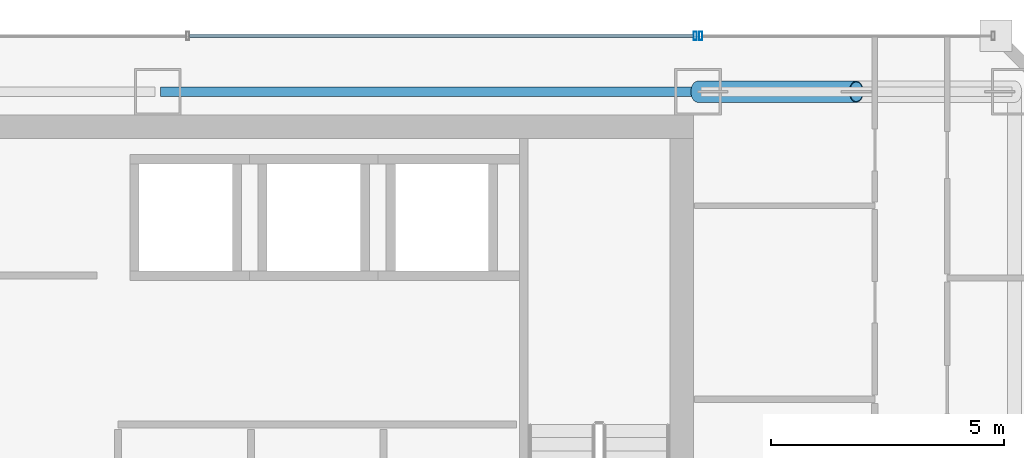
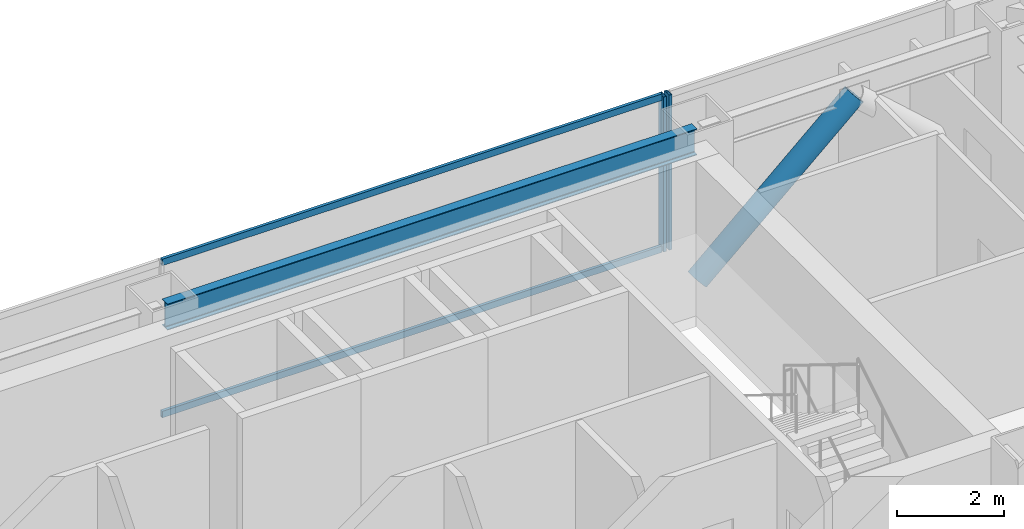
# One storey, part 25 of 36: 5 members, 1 beam, 2 elements without a shape of their own.
"""IFC4 building model written with IfcOpenShell, lengths in metres."""

import ifcopenshell
import ifcopenshell.guid

model = None  # the IFC model being written
_history = None  # IfcOwnerHistory: only IFC2X3 demands one
_inside = {}  # id of a spatial element -> (the spatial element, [elements in it])
_under = {}  # id of a project, library or spatial element -> (it, [spatial elements below it])
_declared = {}  # id of a project -> (the project, [libraries it declares])
_typed = {}  # id of a type object -> (the type object, [elements of that type])
_made_of = {}  # id of a material, layer set ... -> (it, [elements and type objects made of it])


def new_model(schema):
    """Start an empty IFC model of exactly this schema.

    Asked for "IFC4X3", IfcOpenShell would pick the latest addendum, in which some entities
    have other attributes; the version numbers below select the first issue.
    IFC2X3 requires an IfcOwnerHistory on every rooted entity: one is made here for all.
    """
    global model, _history
    if schema == "IFC4X3":
        model = ifcopenshell.file(schema_version=(4, 3, 0, 0))
    else:
        model = ifcopenshell.file(schema=schema)
    _inside.clear()
    _under.clear()
    _declared.clear()
    _typed.clear()
    _made_of.clear()
    _history = None
    if model.schema == "IFC2X3":
        org = make("IfcOrganization", Name="unknown")
        user = make(
            "IfcPersonAndOrganization",
            ThePerson=make("IfcPerson", FamilyName="unknown"),
            TheOrganization=org,
        )
        app = make(
            "IfcApplication",
            ApplicationDeveloper=org,
            Version="unknown",
            ApplicationFullName="unknown",
            ApplicationIdentifier="unknown",
        )
        _history = make(
            "IfcOwnerHistory",
            OwningUser=user,
            OwningApplication=app,
            ChangeAction="ADDED",
            CreationDate=0,
        )
    return model


def make(cls, **values):
    """One entity of the class cls with the attributes given. An attribute that is None is left unset."""
    return model.create_entity(
        cls, **{name: value for name, value in values.items() if value is not None}
    )


def rooted(cls, **values):
    """An entity with a GlobalId (a new one), such as an element, a storey or a relation."""
    return make(cls, GlobalId=ifcopenshell.guid.new(), OwnerHistory=_history, **values)


def si_unit(unit_type, name, prefix=None):
    """IfcSIUnit, for example si_unit("LENGTHUNIT", "METRE", prefix="MILLI")."""
    return make("IfcSIUnit", UnitType=unit_type, Prefix=prefix, Name=name)


def assignment(units):
    """IfcUnitAssignment: the units of a project."""
    return None if units is None else make("IfcUnitAssignment", Units=units)


def point(xyz):
    """IfcCartesianPoint."""
    return None if xyz is None else make("IfcCartesianPoint", Coordinates=xyz)


def direction(xyz):
    """IfcDirection."""
    return None if xyz is None else make("IfcDirection", DirectionRatios=xyz)


def frame(location, z_axis=None, x_axis=None):
    """IfcAxis2Placement3D, a coordinate frame: its origin and axes. An axis left out is left unset."""
    return make(
        "IfcAxis2Placement3D",
        Location=point(location),
        Axis=direction(z_axis),
        RefDirection=direction(x_axis),
    )


def frame_2d(location, x_axis=None):
    """IfcAxis2Placement2D, a coordinate frame in the plane: its origin and x axis."""
    return make(
        "IfcAxis2Placement2D", Location=point(location), RefDirection=direction(x_axis)
    )


def origin():
    """The frame at (0, 0, 0) with its axes left unset."""
    return frame((0.0, 0.0, 0.0))


def origin_2d():
    """The frame at (0, 0) in the plane with its x axis left unset."""
    return frame_2d((0.0, 0.0))


def place(relative_to, where):
    """IfcLocalPlacement: puts the frame where relative to a parent placement (None: the world)."""
    return make(
        "IfcLocalPlacement", PlacementRelTo=relative_to, RelativePlacement=where
    )


def context(
    kind, dimensions, precision=None, world=None, true_north=None, identifier=None
):
    """IfcGeometricRepresentationContext, for example the 3D "Model" context."""
    return make(
        "IfcGeometricRepresentationContext",
        ContextIdentifier=identifier,
        ContextType=kind,
        CoordinateSpaceDimension=dimensions,
        Precision=precision,
        WorldCoordinateSystem=world,
        TrueNorth=true_north,
    )


def subcontext(parent, identifier, kind, view, scale=None):
    """IfcGeometricRepresentationSubContext, for example "Body" below "Model"."""
    return make(
        "IfcGeometricRepresentationSubContext",
        ContextIdentifier=identifier,
        ContextType=kind,
        ParentContext=parent,
        TargetScale=scale,
        TargetView=view,
    )


def project(units=None, contexts=None):
    """IfcProject with its units and contexts."""
    return rooted(
        "IfcProject",
        Name="project",
        RepresentationContexts=contexts,
        UnitsInContext=assignment(units),
    )


def spatial(cls, under=None, at=None, **own):
    """A site, building, storey or space (cls), placed at a placement, below another one or the project."""
    s = rooted(cls, ObjectPlacement=at, **own)
    if under is not None:
        _under.setdefault(under.id(), (under, []))[1].append(s)
    return s


def profile(cls, at=None, kind="AREA", **sizes):
    """A parametric profile (cls). Its sizes go by their IFC names, for example OverallWidth=200.0."""
    return make(cls, ProfileType=kind, Position=at, **sizes)


def hollow_rectangle(**sizes):
    """IfcRectangleHollowProfileDef."""
    return profile("IfcRectangleHollowProfileDef", **sizes)


def hollow_circle(**sizes):
    """IfcCircleHollowProfileDef."""
    return profile("IfcCircleHollowProfileDef", **sizes)


def i_section(**sizes):
    """IfcIShapeProfileDef."""
    return profile("IfcIShapeProfileDef", **sizes)


def extrude(swept, where, along, depth):
    """IfcExtrudedAreaSolid: the profile swept, set in the frame where, extruded along a direction by depth."""
    return make(
        "IfcExtrudedAreaSolid",
        SweptArea=swept,
        Position=where,
        ExtrudedDirection=direction(along),
        Depth=depth,
    )


def shape(context_of_items, identifier, shape_type, items):
    """IfcShapeRepresentation: the items that make up one representation, for example the "Body"."""
    return make(
        "IfcShapeRepresentation",
        ContextOfItems=context_of_items,
        RepresentationIdentifier=identifier,
        RepresentationType=shape_type,
        Items=items,
    )


def material(Name=None, Category=None):
    """IfcMaterial."""
    return make("IfcMaterial", Name=Name, Category=Category)


def material_profile(
    of_material, cross_section, Name=None, Category=None, Priority=None
):
    """IfcMaterialProfile: a cross section and its material."""
    return make(
        "IfcMaterialProfile",
        Name=Name,
        Material=of_material,
        Profile=cross_section,
        Priority=Priority,
        Category=Category,
    )


def profile_set(profiles, Name=None, composite=None):
    """IfcMaterialProfileSet."""
    return make(
        "IfcMaterialProfileSet",
        Name=Name,
        MaterialProfiles=profiles,
        CompositeProfile=composite,
    )


def made_of(thing, what):
    """Note that an element or type object is made of a material, layer set ...; save() writes the relation."""
    if what is not None:
        _made_of.setdefault(what.id(), (what, []))[1].append(thing)
    return thing


def type_object(cls, material=None, **own):
    """A type object (cls), such as IfcWallType, which elements share."""
    return made_of(rooted(cls, **own), material)


def element(
    cls,
    number,
    at=None,
    inside=None,
    cuts=None,
    type_object=None,
    material=None,
    context=None,
    identifier="Body",
    shape_type=None,
    held_by="IfcProductDefinitionShape",
    body=None,
    shapes=None,
    **own,
):
    """One element of the class cls, such as IfcWall. Its Tag is "e" and its number.

    at: its placement. inside: the storey or other place that contains it. cuts: it is an
    opening in that element (IfcRelVoidsElement). A single representation is given by context,
    identifier, shape_type and body (its items); several are given by shapes. held_by: the class
    of the entity that holds the representations. save() writes the other relations.
    """
    e = rooted(cls, Tag="e%d" % number, ObjectPlacement=at, **own)
    if body is not None:
        shapes = [shape(context, identifier, shape_type, body)]
    if shapes is not None:
        e.Representation = make(held_by, Representations=shapes)
    if inside is not None:
        _inside.setdefault(inside.id(), (inside, []))[1].append(e)
    if cuts is not None:
        rooted(
            "IfcRelVoidsElement", RelatingBuildingElement=cuts, RelatedOpeningElement=e
        )
    if type_object is not None:
        _typed.setdefault(type_object.id(), (type_object, []))[1].append(e)
    return made_of(e, material)


def aggregate(whole, parts):
    """IfcRelAggregates: a whole, such as a stair, and the parts it consists of."""
    return rooted("IfcRelAggregates", RelatingObject=whole, RelatedObjects=parts)


def save(model, path):
    """Write the relations noted so far, then the file.

    IfcRelAggregates (storeys below a building ...), IfcRelContainedInSpatialStructure (elements
    in a storey), IfcRelDefinesByType, IfcRelAssociatesMaterial and IfcRelDeclares: one each for
    every whole, place, type object, material and project.
    """
    for whole, parts in _under.values():
        aggregate(whole, parts)
    for where, things in _inside.values():
        rooted(
            "IfcRelContainedInSpatialStructure",
            RelatedElements=things,
            RelatingStructure=where,
        )
    for kind, things in _typed.values():
        rooted("IfcRelDefinesByType", RelatedObjects=things, RelatingType=kind)
    for what, things in _made_of.values():
        rooted("IfcRelAssociatesMaterial", RelatedObjects=things, RelatingMaterial=what)
    for by, libraries in _declared.values():
        rooted("IfcRelDeclares", RelatingContext=by, RelatedDefinitions=libraries)
    model.write(path)


model = new_model("IFC4")

# Units and contexts
model_context = context("Model", 3, precision=1e-05, world=origin(), true_north=direction((0.0, 1.0)))
body_context = subcontext(model_context, "Body", "Model", "MODEL_VIEW")
ifc_project = project(units=[si_unit("LENGTHUNIT", "METRE"), si_unit("AREAUNIT", "SQUARE_METRE"), si_unit("VOLUMEUNIT", "CUBIC_METRE"), si_unit("PLANEANGLEUNIT", "RADIAN"), si_unit("MASSUNIT", "GRAM", prefix="KILO")], contexts=[model_context])

# Site, building, storey
site_placement = place(None, origin())
site = spatial("IfcSite", under=ifc_project, at=site_placement, CompositionType="ELEMENT")
building_placement = place(site_placement, origin())
building = spatial("IfcBuilding", under=site, at=building_placement, Name="Saevonmaru Cultural Tower", CompositionType="ELEMENT")
storey_placement = place(building_placement, frame((0.0, 0.0, 171.39990234375)))
storey = spatial("IfcBuildingStorey", under=building, at=storey_placement, Name="L38", CompositionType="ELEMENT", Elevation=171.39990234375)

# Beam
ifc_material_1 = material(Name="Steel SM355", Category="steel")
ifc_material_profile_1 = material_profile(ifc_material_1, i_section(OverallWidth=0.199951171875, OverallDepth=0.60009765625, WebThickness=0.010986328125, FlangeThickness=0.01708984375, FilletRadius=0.02197265625, at=origin_2d()), Name="H-600x200x11x17")
ifc_profile_set_1 = profile_set([ifc_material_profile_1], Name="Steel SM355")
beam_type = type_object("IfcBeamType", Name="BM-SP-H600", PredefinedType="SPANDREL", material=ifc_profile_set_1)
beam_placement = place(storey_placement, frame((34.860107421875, 54.800048828125, 3.25), z_axis=(1.0, 0.0, 0.0), x_axis=(0.0, 1.0, 0.0)))
element("IfcBeam", 1, at=beam_placement, inside=storey, type_object=beam_type, Name="L38 North Spine Girder 4", PredefinedType="SPANDREL", context=body_context, shape_type="SweptSolid", body=[
    extrude(i_section(OverallWidth=0.199951171875, OverallDepth=0.60009765625, WebThickness=0.010986328125, FlangeThickness=0.01708984375, FilletRadius=0.02197265625, at=origin_2d()), origin(), (0.0, 0.0, 1.0), 11.47998046875),
])

# Member
ifc_material_2 = material(Name="Steel SM420", Category="steel")
ifc_material_profile_2 = material_profile(ifc_material_2, hollow_circle(Radius=0.228515625, WallThickness=0.02001953125, at=origin_2d()), Name="CHS-457.2x20")
ifc_profile_set_2 = profile_set([ifc_material_profile_2], Name="Steel SM420")
member_type_1 = type_object("IfcMemberType", Name="MB-PBR-CHS457", PredefinedType="BRACE", material=ifc_profile_set_2)
member_1_placement = place(storey_placement, frame((46.39990234375, 54.800048828125, 0.02001953125), z_axis=(0.744390779303, 0.0, 0.66774423823), x_axis=(0.0, 1.0, 0.0)))
element("IfcMember", 2, at=member_1_placement, inside=storey, type_object=member_type_1, Name="L38 Perimeter Braced-Tube Diagonal EN1", PredefinedType="BRACE", context=body_context, shape_type="SweptSolid", body=[
    extrude(hollow_circle(Radius=0.228515625, WallThickness=0.02001953125, at=origin_2d()), origin(), (0.0, 0.0, 1.0), 4.567626953125),
])

# Curtain wall, member
ifc_material_3 = material(Name="Satin Bronze Anodised Aluminium", Category="aluminium")
curtain_wall_type = type_object("IfcCurtainWallType", Name="CW-TYP-A", PredefinedType="NOTDEFINED", material=ifc_material_3)
curtain_wall_1_placement = place(storey_placement, origin())
curtain_wall_1 = element("IfcCurtainWall", 3, at=curtain_wall_1_placement, inside=storey, type_object=curtain_wall_type, Name="L38 East Braced Bay Spandrel Curtain Wall E10A", PredefinedType="NOTDEFINED")
ifc_material_profile_3 = material_profile(ifc_material_3, hollow_rectangle(XDim=0.06494140625, YDim=0.179931640625, WallThickness=0.00390625, at=origin_2d()), Name="ALU-MULL-180x65x4")
ifc_profile_set_3 = profile_set([ifc_material_profile_3], Name="Satin Bronze Anodised Aluminium")
member_type_2 = type_object("IfcMemberType", Name="ML-CW-180x65", PredefinedType="MULLION", material=ifc_profile_set_3)
member_2_placement = place(storey_placement, frame((46.4599609375, 56.0, 0.0), z_axis=(0.0, 0.0, 1.0), x_axis=(-1.0, 0.0, 0.0)))
member_2 = element("IfcMember", 4, at=member_2_placement, type_object=member_type_2, Name="CW-TW-L38-E10A mullion 2", PredefinedType="MULLION", context=body_context, shape_type="SweptSolid", body=[
    extrude(hollow_rectangle(XDim=0.06494140625, YDim=0.179931640625, WallThickness=0.00390625, at=origin_2d()), origin(), (0.0, 0.0, 1.0), 3.550048828125),
])
aggregate(curtain_wall_1, [member_2])

# Curtain wall, members
curtain_wall_2_placement = place(storey_placement, origin())
curtain_wall_2 = element("IfcCurtainWall", 5, at=curtain_wall_2_placement, inside=storey, type_object=curtain_wall_type, Name="L38 North Spine Unitised Curtain Wall E10B", PredefinedType="NOTDEFINED")
member_3_placement = place(storey_placement, frame((46.340087890625, 56.0, 0.0), z_axis=(0.0, 0.0, 1.0), x_axis=(-1.0, 0.0, 0.0)))
member_3 = element("IfcMember", 6, at=member_3_placement, type_object=member_type_2, Name="CW-TW-L38-E10B mullion 1", PredefinedType="MULLION", context=body_context, shape_type="SweptSolid", body=[
    extrude(hollow_rectangle(XDim=0.06494140625, YDim=0.179931640625, WallThickness=0.00390625, at=origin_2d()), origin(), (0.0, 0.0, 1.0), 3.550048828125),
])
ifc_material_profile_4 = material_profile(ifc_material_3, hollow_rectangle(XDim=0.06494140625, YDim=0.14990234375, WallThickness=0.00390625, at=origin_2d()), Name="ALU-TRAN-150x65x4")
ifc_profile_set_4 = profile_set([ifc_material_profile_4], Name="Satin Bronze Anodised Aluminium")
member_type_3 = type_object("IfcMemberType", Name="TR-CW-150x65", PredefinedType="USERDEFINED", material=ifc_profile_set_4)
member_4_placement = place(storey_placement, frame((46.3076171875, 56.0, 0.03271484375), z_axis=(-1.0, 0.0, 0.0), x_axis=(0.0, -1.0, 0.0)))
member_4 = element("IfcMember", 7, at=member_4_placement, type_object=member_type_3, Name="CW-TW-L38-E10B transom 1.1", ObjectType="TRANSOM", PredefinedType="USERDEFINED", context=body_context, shape_type="SweptSolid", body=[
    extrude(hollow_rectangle(XDim=0.06494140625, YDim=0.14990234375, WallThickness=0.00390625, at=origin_2d()), origin(), (0.0, 0.0, 1.0), 10.828369140625),
])
member_5_placement = place(storey_placement, frame((46.3076171875, 56.0, 3.517578125), z_axis=(-1.0, 0.0, 0.0), x_axis=(0.0, -1.0, 0.0)))
member_5 = element("IfcMember", 8, at=member_5_placement, type_object=member_type_3, Name="CW-TW-L38-E10B transom 1.2", ObjectType="TRANSOM", PredefinedType="USERDEFINED", context=body_context, shape_type="SweptSolid", body=[
    extrude(hollow_rectangle(XDim=0.06494140625, YDim=0.14990234375, WallThickness=0.00390625, at=origin_2d()), origin(), (0.0, 0.0, 1.0), 10.828369140625),
])
aggregate(curtain_wall_2, [member_3, member_4, member_5])

save(model, "model.ifc")
